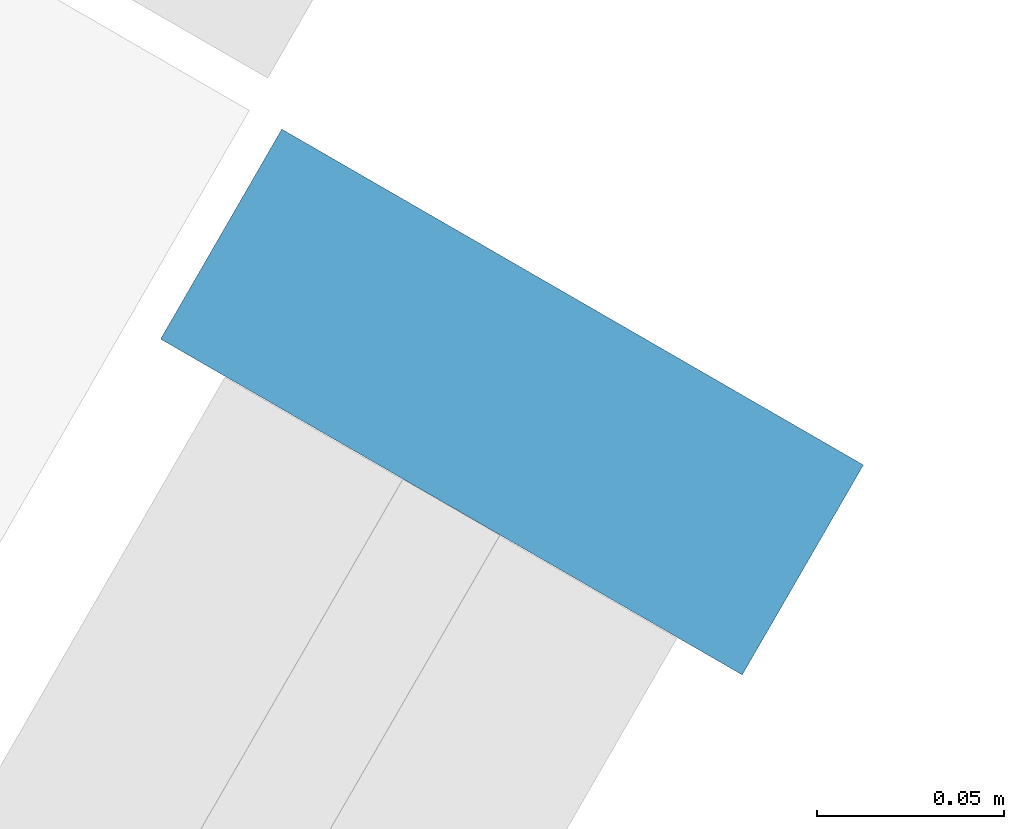
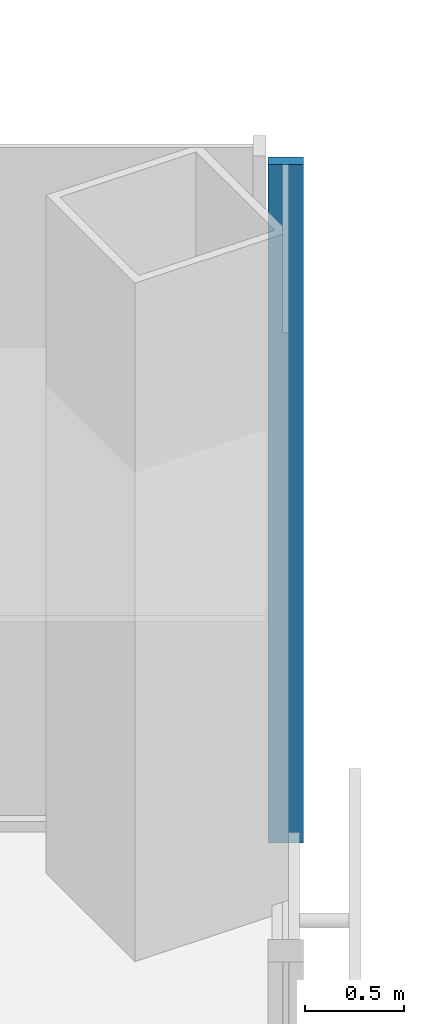
# One storey, part 8 of 16: 1 member, 1 element without a shape of its own.
"""IFC4 building model written with IfcOpenShell, lengths in metres."""

from ifc_helpers import new_model, si_unit, direction, frame, origin, origin_2d, place, context, subcontext, project, spatial, rectangle, extrude, material, material_profile, profile_set, type_object, element, aggregate, save


model = new_model("IFC4")

# Units and contexts
model_context = context("Model", 3, precision=1e-05, world=origin(), true_north=direction((0.0, 1.0)))
body_context = subcontext(model_context, "Body", "Model", "MODEL_VIEW")
ifc_project = project(units=[si_unit("LENGTHUNIT", "METRE"), si_unit("AREAUNIT", "SQUARE_METRE"), si_unit("VOLUMEUNIT", "CUBIC_METRE"), si_unit("PLANEANGLEUNIT", "RADIAN"), si_unit("MASSUNIT", "GRAM", prefix="KILO")], contexts=[model_context])

# Site, building, storey
site_placement = place(None, origin())
site = spatial("IfcSite", under=ifc_project, at=site_placement, CompositionType="ELEMENT")
building_placement = place(site_placement, origin())
building = spatial("IfcBuilding", under=site, at=building_placement, Name="Kasaneha Research Tower", CompositionType="ELEMENT")
storey_placement = place(building_placement, frame((0.0, 0.0, 26.800048828125)))
storey = spatial("IfcBuildingStorey", under=building, at=storey_placement, Name="L07", CompositionType="ELEMENT", Elevation=26.800048828125)

# Curtain wall, member
ifc_material_1 = material(Name="Glass and aluminium", Category="aluminium")
curtain_wall_type = type_object("IfcCurtainWallType", Name="Wet laboratory curtain wall", PredefinedType="USERDEFINED", material=ifc_material_1)
curtain_wall_placement = place(storey_placement, origin())
curtain_wall = element("IfcCurtainWall", 1, at=curtain_wall_placement, inside=storey, type_object=curtain_wall_type, Name="CW-L1 L07 run 05a", ObjectType="UNITISED CURTAIN WALL", PredefinedType="USERDEFINED")
ifc_material_2 = material(Name="Aluminium 6063-T6", Category="aluminium")
ifc_material_profile = material_profile(ifc_material_2, rectangle(XDim=0.06494140625, YDim=0.179931640625, at=origin_2d()), Name="CW-L1 mullion 65x180")
ifc_profile_set = profile_set([ifc_material_profile], Name="Aluminium 6063-T6")
member_type = type_object("IfcMemberType", Name="CW-L1 mullion", PredefinedType="MULLION", material=ifc_profile_set)
member_placement = place(storey_placement, frame((32.01171875, -6.39501953125, 0.0), z_axis=(0.0, 0.0, 1.0), x_axis=(0.500000011442, 0.866025397178, 0.0)))
member = element("IfcMember", 2, at=member_placement, type_object=member_type, Name="CW-L1 mullion 4", PredefinedType="MULLION", context=body_context, shape_type="SweptSolid", body=[
    extrude(rectangle(XDim=0.06494140625, YDim=0.179931640625, at=origin_2d()), origin(), (0.0, 0.0, 1.0), 4.199951171875),
])
aggregate(curtain_wall, [member])

save(model, "model.ifc")
